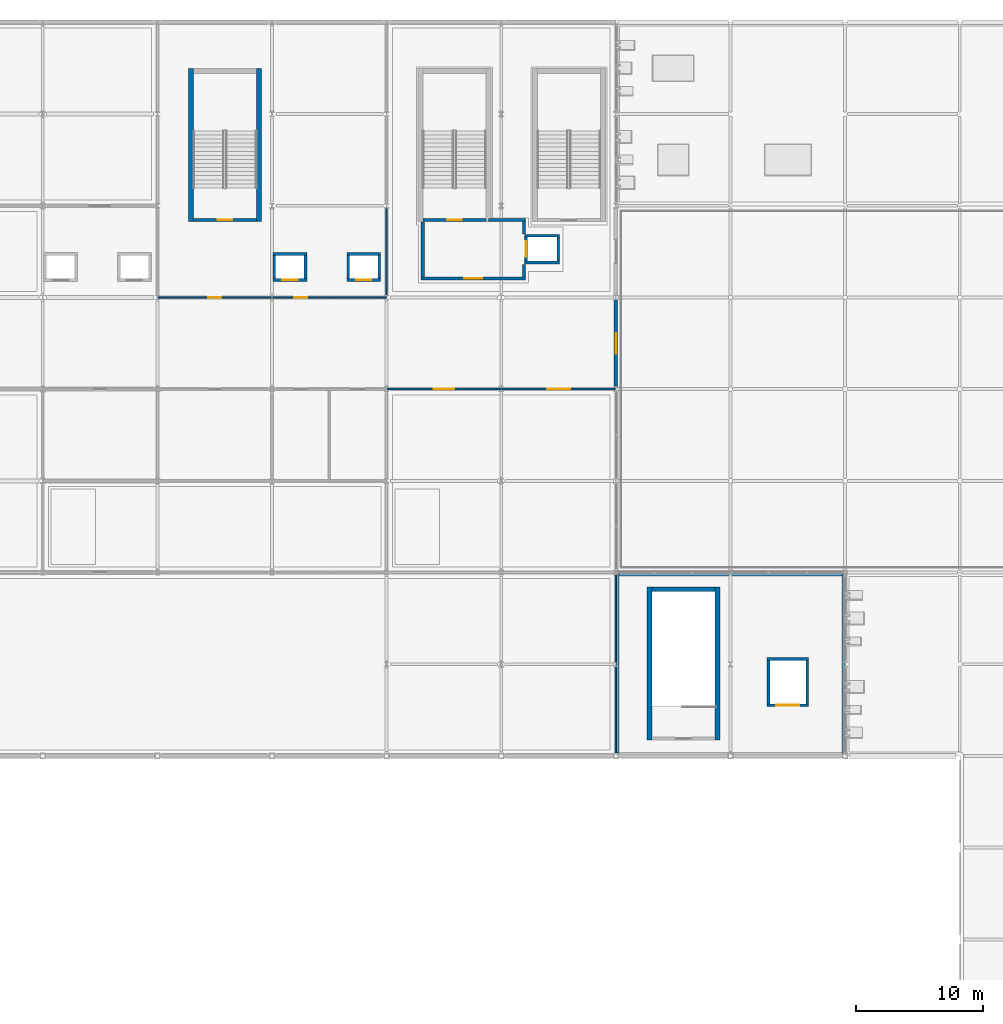
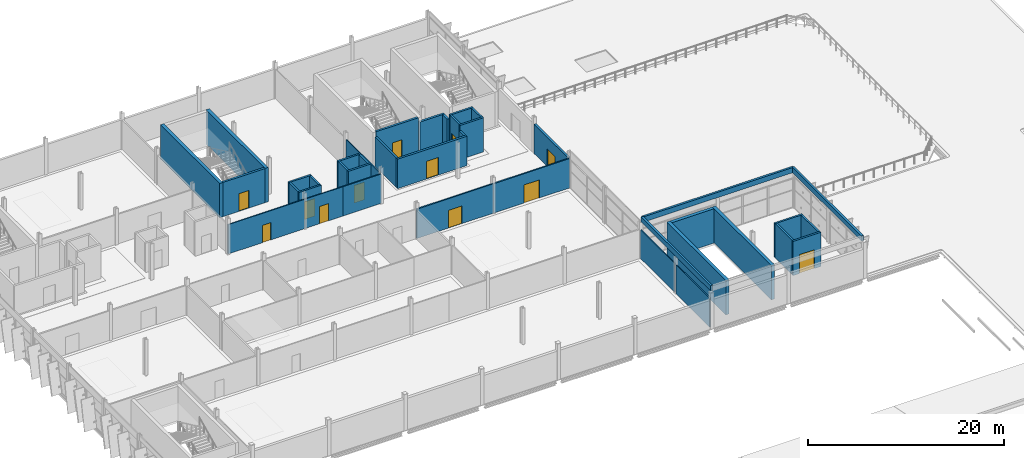
# One storey, part 67 of 78: 40 walls, 12 doors, 12 openings.
"""IFC4 building model written with IfcOpenShell, lengths in metres."""

from ifc_helpers import new_model, si_unit, direction, frame, frame_2d, origin, place, context, subcontext, project, spatial, rectangle, extrude, material, layer, layer_set, type_object, element, fill, save


model = new_model("IFC4")

# Units and contexts
model_context = context("Model", 3, precision=1e-05, world=origin(), true_north=direction((0.0, 1.0)))
body_context = subcontext(model_context, "Body", "Model", "MODEL_VIEW")
ifc_project = project(units=[si_unit("LENGTHUNIT", "METRE"), si_unit("AREAUNIT", "SQUARE_METRE"), si_unit("VOLUMEUNIT", "CUBIC_METRE"), si_unit("PLANEANGLEUNIT", "RADIAN"), si_unit("MASSUNIT", "GRAM", prefix="KILO")], contexts=[model_context])

# Site, building, storey
site_placement = place(None, origin())
site = spatial("IfcSite", under=ifc_project, at=site_placement, CompositionType="ELEMENT")
building_placement = place(site_placement, origin())
building = spatial("IfcBuilding", under=site, at=building_placement, Name="Celestram Park Convention Centre", CompositionType="ELEMENT")
storey_placement = place(building_placement, frame((0.0, 0.0, 19.800048828125)))
storey = spatial("IfcBuildingStorey", under=building, at=storey_placement, Name="L04", CompositionType="ELEMENT", Elevation=19.800048828125)

# Wall, opening, door
ifc_material_1 = material(Name="Concrete Block Masonry C25/30", Category="masonry")
ifc_layer_1 = layer(ifc_material_1, 0.25)
ifc_layer_set_1 = layer_set([ifc_layer_1], Name="Concrete Block Masonry C25/30")
wall_type_1 = type_object("IfcWallType", Name="ARC-WL-COR250", PredefinedType="STANDARD", material=ifc_layer_set_1)
wall_1_placement = place(storey_placement, frame((83.840087890625, 150.074951171875, 0.0), z_axis=(0.0, 0.0, 1.0), x_axis=(1.0, 0.0, 0.0)))
wall_1 = element("IfcWall", 1, at=wall_1_placement, inside=storey, type_object=wall_type_1, Name="Core C2 stair entrance wall", PredefinedType="STANDARD", context=body_context, shape_type="SweptSolid", body=[
    extrude(rectangle(XDim=4.9599609375, YDim=0.25, at=frame_2d((2.47998046875, 0.0))), origin(), (0.0, 0.0, 1.0), 4.25),
])
opening_1_placement = place(wall_1_placement, frame((1.905029296875, 0.0, 0.0)))
opening_1 = element("IfcOpeningElement", 2, at=opening_1_placement, cuts=wall_1, Name="Opening D-ST1", PredefinedType="OPENING", context=body_context, shape_type="SweptSolid", body=[
    extrude(rectangle(XDim=1.14990234375, YDim=2.199951171875, at=frame_2d((0.574951171875, 1.10009765625))), frame((0.0, 0.135009765625, 0.0), z_axis=(0.0, -1.0, 0.0), x_axis=(1.0, 0.0, 0.0)), (0.0, 0.0, 1.0), 0.27001953125),
])
ifc_material_2 = material(Name="Fire-Rated Hollow Metal Steel ASTM A653", Category="steel")
door_type_1 = type_object("IfcDoorType", Name="ARC-DR-ST115", OperationType="NOTDEFINED", PredefinedType="DOOR", material=ifc_material_2)
door_1_placement = place(opening_1_placement, origin())
door_1 = element("IfcDoor", 3, at=door_1_placement, inside=storey, type_object=door_type_1, Name="Exit stair ST-02 fire door", OperationType="SINGLE_SWING_LEFT", OverallHeight=2.199951171875, OverallWidth=1.14990234375, PredefinedType="DOOR", context=body_context, shape_type="SweptSolid", body=[
    extrude(rectangle(XDim=1.14990234375, YDim=2.199951171875, at=frame_2d((0.574951171875, 1.10009765625))), frame((0.0, 0.02490234375, 0.0), z_axis=(0.0, -1.0, 0.0), x_axis=(1.0, 0.0, 0.0)), (0.0, 0.0, 1.0), 0.050048828125),
])
fill(opening_1, door_1)

wall_2_placement = place(storey_placement, frame((65.840087890625, 150.074951171875, 0.0), z_axis=(0.0, 0.0, 1.0), x_axis=(1.0, 0.0, 0.0)))
wall_2 = element("IfcWall", 4, at=wall_2_placement, inside=storey, type_object=wall_type_1, Name="Core S14 stair entrance wall", PredefinedType="STANDARD", context=body_context, shape_type="SweptSolid", body=[
    extrude(rectangle(XDim=4.9599609375, YDim=0.25, at=frame_2d((2.47998046875, 0.0))), origin(), (0.0, 0.0, 1.0), 4.25),
])
opening_2_placement = place(wall_2_placement, frame((1.905029296875, 0.0, 0.0)))
opening_2 = element("IfcOpeningElement", 5, at=opening_2_placement, cuts=wall_2, Name="Opening D-ST1", PredefinedType="OPENING", context=body_context, shape_type="SweptSolid", body=[
    extrude(rectangle(XDim=1.14990234375, YDim=2.199951171875, at=frame_2d((0.574951171875, 1.10009765625))), frame((0.0, 0.135009765625, 0.0), z_axis=(0.0, -1.0, 0.0), x_axis=(1.0, 0.0, 0.0)), (0.0, 0.0, 1.0), 0.27001953125),
])
door_2_placement = place(opening_2_placement, origin())
door_2 = element("IfcDoor", 6, at=door_2_placement, inside=storey, type_object=door_type_1, Name="Exit stair ST-14 fire door", OperationType="SINGLE_SWING_LEFT", OverallHeight=2.199951171875, OverallWidth=1.14990234375, PredefinedType="DOOR", context=body_context, shape_type="SweptSolid", body=[
    extrude(rectangle(XDim=1.14990234375, YDim=2.199951171875, at=frame_2d((0.574951171875, 1.10009765625))), frame((0.0, 0.02490234375, 0.0), z_axis=(0.0, -1.0, 0.0), x_axis=(1.0, 0.0, 0.0)), (0.0, 0.0, 1.0), 0.050048828125),
])
fill(opening_2, door_2)

# Wall
wall_3_placement = place(storey_placement, frame((83.840087890625, 149.93994140625, 0.0), z_axis=(0.0, 0.0, 1.0), x_axis=(0.0, -1.0, 0.0)))
element("IfcWall", 7, at=wall_3_placement, inside=storey, type_object=wall_type_1, Name="Firefighting Lift Lobby C2 W wall", PredefinedType="STANDARD", context=body_context, shape_type="SweptSolid", body=[
    extrude(rectangle(XDim=4.31494140625, YDim=0.25, at=frame_2d((2.157470703125, 0.0))), origin(), (0.0, 0.0, 1.0), 3.64794921875),
])

# Wall, opening, door
wall_4_placement = place(storey_placement, frame((83.715087890625, 145.5, 0.0), z_axis=(0.0, 0.0, 1.0), x_axis=(1.0, 0.0, 0.0)))
wall_4 = element("IfcWall", 8, at=wall_4_placement, inside=storey, type_object=wall_type_1, Name="Firefighting Lift Lobby C2 S wall", PredefinedType="STANDARD", context=body_context, shape_type="SweptSolid", body=[
    extrude(rectangle(XDim=8.18994140625, YDim=0.25, at=frame_2d((4.094970703125, 0.0))), origin(), (0.0, 0.0, 1.0), 3.64794921875),
])
opening_3_placement = place(wall_4_placement, frame((3.39501953125, 0.0, 0.0)))
opening_3 = element("IfcOpeningElement", 9, at=opening_3_placement, cuts=wall_4, Name="Opening D-LB1", PredefinedType="OPENING", context=body_context, shape_type="SweptSolid", body=[
    extrude(rectangle(XDim=1.39990234375, YDim=2.199951171875, at=frame_2d((0.699951171875, 1.10009765625))), frame((0.0, 0.135009765625, 0.0), z_axis=(0.0, -1.0, 0.0), x_axis=(1.0, 0.0, 0.0)), (0.0, 0.0, 1.0), 0.27001953125),
])
ifc_material_3 = material(Name="Fire-Rated Glazed Steel Frame", Category="steel")
door_type_2 = type_object("IfcDoorType", Name="ARC-DR-LB140", OperationType="NOTDEFINED", PredefinedType="DOOR", material=ifc_material_3)
door_3_placement = place(opening_3_placement, origin())
door_3 = element("IfcDoor", 10, at=door_3_placement, inside=storey, type_object=door_type_2, Name="Firefighting Lift Lobby C2 fire door", OperationType="SINGLE_SWING_LEFT", OverallHeight=2.199951171875, OverallWidth=1.39990234375, PredefinedType="DOOR", context=body_context, shape_type="SweptSolid", body=[
    extrude(rectangle(XDim=1.39990234375, YDim=2.199951171875, at=frame_2d((0.699951171875, 1.10009765625))), frame((0.0, 0.02490234375, 0.0), z_axis=(0.0, -1.0, 0.0), x_axis=(1.0, 0.0, 0.0)), (0.0, 0.0, 1.0), 0.050048828125),
])
fill(opening_3, door_3)

# Walls
wall_5_placement = place(storey_placement, frame((91.780029296875, 145.625, 0.0), z_axis=(0.0, 0.0, 1.0), x_axis=(0.0, 1.0, 0.0)))
element("IfcWall", 11, at=wall_5_placement, inside=storey, type_object=wall_type_1, Name="Firefighting Lift Lobby C2 ES wall", PredefinedType="STANDARD", context=body_context, shape_type="SweptSolid", body=[
    extrude(rectangle(XDim=0.97509765625, YDim=0.25, at=frame_2d((0.487548828125, 0.0))), origin(), (0.0, 0.0, 1.0), 3.64794921875),
])
wall_6_placement = place(storey_placement, frame((91.780029296875, 149.0, 0.0), z_axis=(0.0, 0.0, 1.0), x_axis=(0.0, 1.0, 0.0)))
element("IfcWall", 12, at=wall_6_placement, inside=storey, type_object=wall_type_1, Name="Firefighting Lift Lobby C2 EN wall", PredefinedType="STANDARD", context=body_context, shape_type="SweptSolid", body=[
    extrude(rectangle(XDim=0.949951171875, YDim=0.25, at=frame_2d((0.47509765625, 0.0))), origin(), (0.0, 0.0, 1.0), 3.64794921875),
])
wall_7_placement = place(storey_placement, frame((89.0, 150.074951171875, 0.0), z_axis=(0.0, 0.0, 1.0), x_axis=(1.0, 0.0, 0.0)))
element("IfcWall", 13, at=wall_7_placement, inside=storey, type_object=wall_type_1, Name="Firefighting Lift Lobby C2 N wall", PredefinedType="STANDARD", context=body_context, shape_type="SweptSolid", body=[
    extrude(rectangle(XDim=2.905029296875, YDim=0.25, at=frame_2d((1.45263671875, 0.0))), origin(), (0.0, 0.0, 1.0), 3.64794921875),
])

# Wall, opening, door
ifc_material_4 = material(Name="Precast Concrete C40/50", Category="concrete")
ifc_layer_2 = layer(ifc_material_4, 0.260009765625)
ifc_layer_set_2 = layer_set([ifc_layer_2], Name="Precast Concrete C40/50")
wall_type_2 = type_object("IfcWallType", Name="ARC-WL-EXT260", PredefinedType="STANDARD", material=ifc_layer_set_2)
wall_8_placement = place(storey_placement, frame((99.0, 143.823974609375, 0.0), z_axis=(0.0, 0.0, 1.0), x_axis=(0.0, -1.0, 0.0)))
wall_8 = element("IfcWall", 14, at=wall_8_placement, inside=storey, type_object=wall_type_2, Name="Bush-hammered precast exterior wall WL-L04-EW234", PredefinedType="STANDARD", context=body_context, shape_type="SweptSolid", body=[
    extrude(rectangle(XDim=6.847900390625, YDim=0.260009765625, at=frame_2d((3.423828125, 0.0))), origin(), (0.0, 0.0, 1.0), 3.64794921875),
])
opening_4_placement = place(wall_8_placement, frame((2.6240234375, 0.0, 0.0)))
opening_4 = element("IfcOpeningElement", 15, at=opening_4_placement, cuts=wall_8, Name="Opening D-TR2", PredefinedType="OPENING", context=body_context, shape_type="SweptSolid", body=[
    extrude(rectangle(XDim=1.60009765625, YDim=2.199951171875, at=frame_2d((0.800048828125, 1.10009765625))), frame((0.0, 0.139892578125, 0.0), z_axis=(0.0, -1.0, 0.0), x_axis=(1.0, 0.0, 0.0)), (0.0, 0.0, 1.0), 0.280029296875),
])
ifc_material_5 = material(Name="Anodised Aluminium & Tempered Glass", Category="aluminium")
door_type_3 = type_object("IfcDoorType", Name="ARC-DR-TR1600", OperationType="NOTDEFINED", PredefinedType="DOOR", material=ifc_material_5)
door_4_placement = place(opening_4_placement, origin())
door_4 = element("IfcDoor", 16, at=door_4_placement, inside=storey, type_object=door_type_3, Name="Planted roof terrace door DR-L04-TR02", OperationType="DOUBLE_DOOR_SINGLE_SWING", OverallHeight=2.199951171875, OverallWidth=1.60009765625, PredefinedType="DOOR", context=body_context, shape_type="SweptSolid", body=[
    extrude(rectangle(XDim=1.60009765625, YDim=2.199951171875, at=frame_2d((0.800048828125, 1.10009765625))), frame((0.0, 0.02490234375, 0.0), z_axis=(0.0, -1.0, 0.0), x_axis=(1.0, 0.0, 0.0)), (0.0, 0.0, 1.0), 0.050048828125),
])
fill(opening_4, door_4)

# Walls
ifc_layer_3 = layer(ifc_material_4, 0.239990234375)
ifc_layer_set_3 = layer_set([ifc_layer_3], Name="Precast Concrete C40/50")
wall_type_3 = type_object("IfcWallType", Name="ARC-WL-PAR240", PredefinedType="PARAPET", material=ifc_layer_set_3)
wall_9_placement = place(storey_placement, frame((99.139892578125, 108.139892578125, 4.5), z_axis=(0.0, 0.0, 1.0), x_axis=(0.0, 1.0, 0.0)))
element("IfcWall", 17, at=wall_9_placement, inside=storey, type_object=wall_type_3, Name="Flat roof parapet WL-L04-PR11", PredefinedType="PARAPET", context=body_context, shape_type="SweptSolid", body=[
    extrude(rectangle(XDim=14.1201171875, YDim=0.239990234375, at=frame_2d((7.06005859375, 0.0))), origin(), (0.0, 0.0, 1.0), 0.64990234375),
])
wall_10_placement = place(storey_placement, frame((99.139892578125, 122.260009765625, 4.5), z_axis=(0.0, 0.0, 1.0), x_axis=(1.0, 0.0, 0.0)))
element("IfcWall", 18, at=wall_10_placement, inside=storey, type_object=wall_type_3, Name="Flat roof parapet WL-L04-PR12", PredefinedType="PARAPET", context=body_context, shape_type="SweptSolid", body=[
    extrude(rectangle(XDim=17.72021484375, YDim=0.239990234375, at=frame_2d((8.860107421875, 0.0))), origin(), (0.0, 0.0, 1.0), 0.64990234375),
])
wall_11_placement = place(storey_placement, frame((116.860107421875, 122.260009765625, 4.5), z_axis=(0.0, 0.0, 1.0), x_axis=(0.0, -1.0, 0.0)))
element("IfcWall", 19, at=wall_11_placement, inside=storey, type_object=wall_type_3, Name="Flat roof parapet WL-L04-PR13", PredefinedType="PARAPET", context=body_context, shape_type="SweptSolid", body=[
    extrude(rectangle(XDim=14.1201171875, YDim=0.239990234375, at=frame_2d((7.06005859375, 0.0))), origin(), (0.0, 0.0, 1.0), 0.64990234375),
])

# Wall, opening, door
ifc_material_6 = material(Name="Standard Gypsum & Steel Stud 120 mm", Category="steel")
ifc_layer_4 = layer(ifc_material_6, 0.1201171875)
ifc_layer_set_4 = layer_set([ifc_layer_4], Name="Standard Gypsum & Steel Stud 120 mm")
wall_type_4 = type_object("IfcWallType", Name="ARC-WL-PRT120", PredefinedType="PARTITIONING", material=ifc_layer_set_4)
wall_12_placement = place(storey_placement, frame((63.006103515625, 144.0, 0.0), z_axis=(0.0, 0.0, 1.0), x_axis=(1.0, 0.0, 0.0)))
wall_12 = element("IfcWall", 20, at=wall_12_placement, inside=storey, type_object=wall_type_4, Name="Interior partition WL-L04-IN0963", PredefinedType="PARTITIONING", context=body_context, shape_type="SweptSolid", body=[
    extrude(rectangle(XDim=8.989013671875, YDim=0.1201171875, at=frame_2d((4.49462890625, 0.0))), origin(), (0.0, 0.0, 1.0), 3.64794921875),
])
opening_5_placement = place(wall_12_placement, frame((3.994384765625, 0.0, 0.0)))
opening_5 = element("IfcOpeningElement", 21, at=opening_5_placement, cuts=wall_12, Name="Opening D-07", PredefinedType="OPENING", context=body_context, shape_type="SweptSolid", body=[
    extrude(rectangle(XDim=1.0, YDim=2.14990234375, at=frame_2d((0.5, 1.074951171875))), frame((0.0, 0.070068359375, 0.0), z_axis=(0.0, -1.0, 0.0), x_axis=(1.0, 0.0, 0.0)), (0.0, 0.0, 1.0), 0.14013671875),
])
ifc_material_7 = material(Name="Solid Core White Oak Single Door", Category="wood")
door_type_4 = type_object("IfcDoorType", Name="ARC-DR-RM100", OperationType="NOTDEFINED", PredefinedType="DOOR", material=ifc_material_7)
door_5_placement = place(opening_5_placement, origin())
door_5 = element("IfcDoor", 22, at=door_5_placement, inside=storey, type_object=door_type_4, Name="Show Administration Office East entrance door", OperationType="SINGLE_SWING_LEFT", OverallHeight=2.14990234375, OverallWidth=1.0, PredefinedType="DOOR", context=body_context, shape_type="SweptSolid", body=[
    extrude(rectangle(XDim=1.0, YDim=2.14990234375, at=frame_2d((0.5, 1.074951171875))), frame((0.0, 0.02490234375, 0.0), z_axis=(0.0, -1.0, 0.0), x_axis=(1.0, 0.0, 0.0)), (0.0, 0.0, 1.0), 0.050048828125),
])
fill(opening_5, door_5)

wall_13_placement = place(storey_placement, frame((72.0048828125, 144.0, 0.0), z_axis=(0.0, 0.0, 1.0), x_axis=(1.0, 0.0, 0.0)))
wall_13 = element("IfcWall", 23, at=wall_13_placement, inside=storey, type_object=wall_type_4, Name="Interior partition WL-L04-IN0964", PredefinedType="PARTITIONING", context=body_context, shape_type="SweptSolid", body=[
    extrude(rectangle(XDim=4.4951171875, YDim=0.1201171875, at=frame_2d((2.24755859375, 0.0))), origin(), (0.0, 0.0, 1.0), 3.64794921875),
])
opening_6_placement = place(wall_13_placement, frame((1.722412109375, 0.0, 0.0)))
opening_6 = element("IfcOpeningElement", 24, at=opening_6_placement, cuts=wall_13, Name="Opening D-06", PredefinedType="OPENING", context=body_context, shape_type="SweptSolid", body=[
    extrude(rectangle(XDim=1.050048828125, YDim=2.14990234375, at=frame_2d((0.52490234375, 1.074951171875))), frame((0.0, 0.070068359375, 0.0), z_axis=(0.0, -1.0, 0.0), x_axis=(1.0, 0.0, 0.0)), (0.0, 0.0, 1.0), 0.14013671875),
])
door_type_5 = type_object("IfcDoorType", Name="ARC-DR-RM105", OperationType="NOTDEFINED", PredefinedType="DOOR", material=ifc_material_7)
door_6_placement = place(opening_6_placement, origin())
door_6 = element("IfcDoor", 25, at=door_6_placement, inside=storey, type_object=door_type_5, Name="Show Administration Office East entrance door", OperationType="SINGLE_SWING_RIGHT", OverallHeight=2.14990234375, OverallWidth=1.050048828125, PredefinedType="DOOR", context=body_context, shape_type="SweptSolid", body=[
    extrude(rectangle(XDim=1.050048828125, YDim=2.14990234375, at=frame_2d((0.52490234375, 1.074951171875))), frame((0.0, 0.02490234375, 0.0), z_axis=(0.0, -1.0, 0.0), x_axis=(1.0, 0.0, 0.0)), (0.0, 0.0, 1.0), 0.050048828125),
])
fill(opening_6, door_6)

# Walls
wall_14_placement = place(storey_placement, frame((76.5, 144.0, 0.0), z_axis=(0.0, 0.0, 1.0), x_axis=(1.0, 0.0, 0.0)))
element("IfcWall", 26, at=wall_14_placement, inside=storey, type_object=wall_type_4, Name="Interior partition WL-L04-IN0965", PredefinedType="PARTITIONING", context=body_context, shape_type="SweptSolid", body=[
    extrude(rectangle(XDim=4.4951171875, YDim=0.1201171875, at=frame_2d((2.24755859375, 0.0))), origin(), (0.0, 0.0, 1.0), 3.64794921875),
])
wall_15_placement = place(storey_placement, frame((81.0, 144.176025390625, 0.0), z_axis=(0.0, 0.0, 1.0), x_axis=(0.0, 1.0, 0.0)))
element("IfcWall", 27, at=wall_15_placement, inside=storey, type_object=wall_type_4, Name="Interior partition WL-L04-IN0980", PredefinedType="PARTITIONING", context=body_context, shape_type="SweptSolid", body=[
    extrude(rectangle(XDim=6.847900390625, YDim=0.1201171875, at=frame_2d((3.423828125, 0.0))), origin(), (0.0, 0.0, 1.0), 3.64794921875),
])
wall_16_placement = place(storey_placement, frame((99.0, 108.197998046875, 0.0), z_axis=(0.0, 0.0, 1.0), x_axis=(0.0, 1.0, 0.0)))
element("IfcWall", 28, at=wall_16_placement, inside=storey, type_object=wall_type_4, Name="Interior partition WL-L04-IN0983", PredefinedType="PARTITIONING", context=body_context, shape_type="SweptSolid", body=[
    extrude(rectangle(XDim=6.825927734375, YDim=0.1201171875, at=frame_2d((3.4130859375, 0.0))), origin(), (0.0, 0.0, 1.0), 3.587890625),
])
wall_17_placement = place(storey_placement, frame((99.0, 115.3759765625, 0.0), z_axis=(0.0, 0.0, 1.0), x_axis=(0.0, 1.0, 0.0)))
element("IfcWall", 29, at=wall_17_placement, inside=storey, type_object=wall_type_4, Name="Interior partition WL-L04-IN0984", PredefinedType="PARTITIONING", context=body_context, shape_type="SweptSolid", body=[
    extrude(rectangle(XDim=6.84814453125, YDim=0.1201171875, at=frame_2d((3.424072265625, 0.0))), origin(), (0.0, 0.0, 1.0), 3.587890625),
])

# Wall, opening, door
ifc_material_8 = material(Name="Acoustic Gypsum & Steel Stud 160 mm", Category="steel")
ifc_layer_5 = layer(ifc_material_8, 0.159912109375)
ifc_layer_set_5 = layer_set([ifc_layer_5], Name="Acoustic Gypsum & Steel Stud 160 mm")
wall_type_5 = type_object("IfcWallType", Name="ARC-WL-PRT160", PredefinedType="PARTITIONING", material=ifc_layer_set_5)
wall_18_placement = place(storey_placement, frame((81.0048828125, 136.800048828125, 0.0), z_axis=(0.0, 0.0, 1.0), x_axis=(1.0, 0.0, 0.0)))
wall_18 = element("IfcWall", 30, at=wall_18_placement, inside=storey, type_object=wall_type_5, Name="Interior partition WL-L04-IN0961", PredefinedType="PARTITIONING", context=body_context, shape_type="SweptSolid", body=[
    extrude(rectangle(XDim=8.990234375, YDim=0.159912109375, at=frame_2d((4.4951171875, 0.0))), origin(), (0.0, 0.0, 1.0), 3.64794921875),
])
opening_7_placement = place(wall_18_placement, frame((3.695068359375, 0.0, 0.0)))
opening_7 = element("IfcOpeningElement", 31, at=opening_7_placement, cuts=wall_18, Name="Opening D-05", PredefinedType="OPENING", context=body_context, shape_type="SweptSolid", body=[
    extrude(rectangle(XDim=1.60009765625, YDim=2.199951171875, at=frame_2d((0.800048828125, 1.10009765625))), frame((0.0, 0.08984375, 0.0), z_axis=(0.0, -1.0, 0.0), x_axis=(1.0, 0.0, 0.0)), (0.0, 0.0, 1.0), 0.179931640625),
])
ifc_material_9 = material(Name="Solid White Oak Double Door", Category="wood")
door_type_6 = type_object("IfcDoorType", Name="ARC-DR-MTG160", OperationType="NOTDEFINED", PredefinedType="DOOR", material=ifc_material_9)
door_7_placement = place(opening_7_placement, origin())
door_7 = element("IfcDoor", 32, at=door_7_placement, inside=storey, type_object=door_type_6, Name="Executive Conference Room 402 entrance door", OperationType="DOUBLE_DOOR_SINGLE_SWING", OverallHeight=2.199951171875, OverallWidth=1.60009765625, PredefinedType="DOOR", context=body_context, shape_type="SweptSolid", body=[
    extrude(rectangle(XDim=1.60009765625, YDim=2.199951171875, at=frame_2d((0.800048828125, 1.10009765625))), frame((0.0, 0.02490234375, 0.0), z_axis=(0.0, -1.0, 0.0), x_axis=(1.0, 0.0, 0.0)), (0.0, 0.0, 1.0), 0.050048828125),
])
fill(opening_7, door_7)

wall_19_placement = place(storey_placement, frame((90.0048828125, 136.800048828125, 0.0), z_axis=(0.0, 0.0, 1.0), x_axis=(1.0, 0.0, 0.0)))
wall_19 = element("IfcWall", 33, at=wall_19_placement, inside=storey, type_object=wall_type_5, Name="Interior partition WL-L04-IN0962", PredefinedType="PARTITIONING", context=body_context, shape_type="SweptSolid", body=[
    extrude(rectangle(XDim=8.990234375, YDim=0.159912109375, at=frame_2d((4.4951171875, 0.0))), origin(), (0.0, 0.0, 1.0), 3.64794921875),
])
opening_8_placement = place(wall_19_placement, frame((3.594970703125, 0.0, 0.0)))
opening_8 = element("IfcOpeningElement", 34, at=opening_8_placement, cuts=wall_19, Name="Opening D-04", PredefinedType="OPENING", context=body_context, shape_type="SweptSolid", body=[
    extrude(rectangle(XDim=1.800048828125, YDim=2.25, at=frame_2d((0.89990234375, 1.125))), frame((0.0, 0.08984375, 0.0), z_axis=(0.0, -1.0, 0.0), x_axis=(1.0, 0.0, 0.0)), (0.0, 0.0, 1.0), 0.179931640625),
])
ifc_material_10 = material(Name="Solid White Oak Acoustic Double Door", Category="wood")
door_type_7 = type_object("IfcDoorType", Name="ARC-DR-MTG180", OperationType="NOTDEFINED", PredefinedType="DOOR", material=ifc_material_10)
door_8_placement = place(opening_8_placement, origin())
door_8 = element("IfcDoor", 35, at=door_8_placement, inside=storey, type_object=door_type_7, Name="Executive Conference Room 402 entrance door", OperationType="DOUBLE_DOOR_SINGLE_SWING", OverallHeight=2.25, OverallWidth=1.800048828125, PredefinedType="DOOR", context=body_context, shape_type="SweptSolid", body=[
    extrude(rectangle(XDim=1.800048828125, YDim=2.25, at=frame_2d((0.89990234375, 1.125))), frame((0.0, 0.02490234375, 0.0), z_axis=(0.0, -1.0, 0.0), x_axis=(1.0, 0.0, 0.0)), (0.0, 0.0, 1.0), 0.050048828125),
])
fill(opening_8, door_8)

# Walls
ifc_layer_6 = layer(ifc_material_1, 0.219970703125)
ifc_layer_set_6 = layer_set([ifc_layer_6], Name="Concrete Block Masonry C25/30")
wall_type_6 = type_object("IfcWallType", Name="ARC-WL-SHF220", PredefinedType="STANDARD", material=ifc_layer_set_6)
for number, where, z_axis, x_axis, name in (
    (36, (91.820068359375, 146.7548828125, 0.0), (0.0, 0.0, 1.0), (1.0, 0.0, 0.0), "Lift LF-02 shaft wall S"),
    (37, (94.580078125, 148.844970703125, 0.0), (0.0, 0.0, 1.0), (-1.0, 0.0, 0.0), "Lift LF-02 shaft wall N"),
):
    element("IfcWall", number, at=place(storey_placement, frame(where, z_axis=z_axis, x_axis=x_axis)), inside=storey, type_object=wall_type_6, Name=name, PredefinedType="STANDARD", context=body_context, shape_type="SweptSolid", body=[
        extrude(rectangle(XDim=2.760009765625, YDim=0.219970703125, at=frame_2d((1.3798828125, 0.0))), origin(), (0.0, 0.0, 1.0), 4.25),
    ])

# Wall, opening, door
wall_20_placement = place(storey_placement, frame((91.929931640625, 148.735107421875, 0.0), z_axis=(0.0, 0.0, 1.0), x_axis=(0.0, -1.0, 0.0)))
wall_20 = element("IfcWall", 38, at=wall_20_placement, inside=storey, type_object=wall_type_6, Name="Lift LF-02 shaft wall W", PredefinedType="STANDARD", context=body_context, shape_type="SweptSolid", body=[
    extrude(rectangle(XDim=1.8701171875, YDim=0.219970703125, at=frame_2d((0.93505859375, 0.0))), origin(), (0.0, 0.0, 1.0), 4.25),
])
opening_9_placement = place(wall_20_placement, frame((0.3349609375, 0.0, 0.0)))
opening_9 = element("IfcOpeningElement", 39, at=opening_9_placement, cuts=wall_20, Name="Opening LD-01", PredefinedType="OPENING", context=body_context, shape_type="SweptSolid", body=[
    extrude(rectangle(XDim=1.199951171875, YDim=2.199951171875, at=frame_2d((0.60009765625, 1.10009765625))), frame((0.0, 0.119873046875, 0.0), z_axis=(0.0, -1.0, 0.0), x_axis=(1.0, 0.0, 0.0)), (0.0, 0.0, 1.0), 0.239990234375),
])
ifc_material_11 = material(Name="Brushed Stainless Steel AISI 304", Category="steel")
door_type_8 = type_object("IfcDoorType", Name="ARC-DR-LFT120", OperationType="NOTDEFINED", PredefinedType="DOOR", material=ifc_material_11)
door_9_placement = place(opening_9_placement, origin())
door_9 = element("IfcDoor", 40, at=door_9_placement, inside=storey, type_object=door_type_8, Name="Lift LF-02 sliding landing door", OperationType="DOUBLE_DOOR_SLIDING", OverallHeight=2.199951171875, OverallWidth=1.199951171875, PredefinedType="DOOR", context=body_context, shape_type="SweptSolid", body=[
    extrude(rectangle(XDim=1.199951171875, YDim=2.199951171875, at=frame_2d((0.60009765625, 1.10009765625))), frame((0.0, 0.02490234375, 0.0), z_axis=(0.0, -1.0, 0.0), x_axis=(1.0, 0.0, 0.0)), (0.0, 0.0, 1.0), 0.050048828125),
])
fill(opening_9, door_9)

# Wall
wall_21_placement = place(storey_placement, frame((94.469970703125, 146.864990234375, 0.0), z_axis=(0.0, 0.0, 1.0), x_axis=(0.0, 1.0, 0.0)))
element("IfcWall", 41, at=wall_21_placement, inside=storey, type_object=wall_type_6, Name="Lift LF-02 shaft wall E", PredefinedType="STANDARD", context=body_context, shape_type="SweptSolid", body=[
    extrude(rectangle(XDim=1.8701171875, YDim=0.219970703125, at=frame_2d((0.93505859375, 0.0))), origin(), (0.0, 0.0, 1.0), 4.25),
])

# Wall, opening, door
wall_22_placement = place(storey_placement, frame((72.070068359375, 145.3798828125, 0.0), z_axis=(0.0, 0.0, 1.0), x_axis=(1.0, 0.0, 0.0)))
wall_22 = element("IfcWall", 42, at=wall_22_placement, inside=storey, type_object=wall_type_6, Name="Lift LP-03 shaft wall S", PredefinedType="STANDARD", context=body_context, shape_type="SweptSolid", body=[
    extrude(rectangle(XDim=2.659912109375, YDim=0.219970703125, at=frame_2d((1.330078125, 0.0))), origin(), (0.0, 0.0, 1.0), 3.64794921875),
])
opening_10_placement = place(wall_22_placement, frame((0.72998046875, 0.0, 0.0)))
opening_10 = element("IfcOpeningElement", 43, at=opening_10_placement, cuts=wall_22, Name="Opening LD-01", PredefinedType="OPENING", context=body_context, shape_type="SweptSolid", body=[
    extrude(rectangle(XDim=1.199951171875, YDim=2.199951171875, at=frame_2d((0.60009765625, 1.10009765625))), frame((0.0, 0.119873046875, 0.0), z_axis=(0.0, -1.0, 0.0), x_axis=(1.0, 0.0, 0.0)), (0.0, 0.0, 1.0), 0.239990234375),
])
door_10_placement = place(opening_10_placement, origin())
door_10 = element("IfcDoor", 44, at=door_10_placement, inside=storey, type_object=door_type_8, Name="Lift LP-03 sliding landing door", OperationType="DOUBLE_DOOR_SLIDING", OverallHeight=2.199951171875, OverallWidth=1.199951171875, PredefinedType="DOOR", context=body_context, shape_type="SweptSolid", body=[
    extrude(rectangle(XDim=1.199951171875, YDim=2.199951171875, at=frame_2d((0.60009765625, 1.10009765625))), frame((0.0, 0.02490234375, 0.0), z_axis=(0.0, -1.0, 0.0), x_axis=(1.0, 0.0, 0.0)), (0.0, 0.0, 1.0), 0.050048828125),
])
fill(opening_10, door_10)

# Walls
wall_23_placement = place(storey_placement, frame((74.72998046875, 147.419921875, 0.0), z_axis=(0.0, 0.0, 1.0), x_axis=(-1.0, 0.0, 0.0)))
element("IfcWall", 45, at=wall_23_placement, inside=storey, type_object=wall_type_6, Name="Lift LP-03 shaft wall N", PredefinedType="STANDARD", context=body_context, shape_type="SweptSolid", body=[
    extrude(rectangle(XDim=2.659912109375, YDim=0.219970703125, at=frame_2d((1.330078125, 0.0))), origin(), (0.0, 0.0, 1.0), 3.64794921875),
])
for number, where, z_axis, x_axis, name in (
    (46, (72.179931640625, 147.31005859375, 0.0), (0.0, 0.0, 1.0), (0.0, -1.0, 0.0), "Lift LP-03 shaft wall W"),
    (47, (74.6201171875, 145.489990234375, 0.0), (0.0, 0.0, 1.0), (0.0, 1.0, 0.0), "Lift LP-03 shaft wall E"),
):
    element("IfcWall", number, at=place(storey_placement, frame(where, z_axis=z_axis, x_axis=x_axis)), inside=storey, type_object=wall_type_6, Name=name, PredefinedType="STANDARD", context=body_context, shape_type="SweptSolid", body=[
        extrude(rectangle(XDim=1.820068359375, YDim=0.219970703125, at=frame_2d((0.91015625, 0.0))), origin(), (0.0, 0.0, 1.0), 3.64794921875),
    ])

# Wall, opening, door
wall_24_placement = place(storey_placement, frame((77.8701171875, 145.3798828125, 0.0), z_axis=(0.0, 0.0, 1.0), x_axis=(1.0, 0.0, 0.0)))
wall_24 = element("IfcWall", 48, at=wall_24_placement, inside=storey, type_object=wall_type_6, Name="Lift LP-04 shaft wall S", PredefinedType="STANDARD", context=body_context, shape_type="SweptSolid", body=[
    extrude(rectangle(XDim=2.659912109375, YDim=0.219970703125, at=frame_2d((1.330078125, 0.0))), origin(), (0.0, 0.0, 1.0), 4.25),
])
opening_11_placement = place(wall_24_placement, frame((0.72998046875, 0.0, 0.0)))
opening_11 = element("IfcOpeningElement", 49, at=opening_11_placement, cuts=wall_24, Name="Opening LD-01", PredefinedType="OPENING", context=body_context, shape_type="SweptSolid", body=[
    extrude(rectangle(XDim=1.199951171875, YDim=2.199951171875, at=frame_2d((0.60009765625, 1.10009765625))), frame((0.0, 0.119873046875, 0.0), z_axis=(0.0, -1.0, 0.0), x_axis=(1.0, 0.0, 0.0)), (0.0, 0.0, 1.0), 0.239990234375),
])
door_11_placement = place(opening_11_placement, origin())
door_11 = element("IfcDoor", 50, at=door_11_placement, inside=storey, type_object=door_type_8, Name="Lift LP-04 sliding landing door", OperationType="DOUBLE_DOOR_SLIDING", OverallHeight=2.199951171875, OverallWidth=1.199951171875, PredefinedType="DOOR", context=body_context, shape_type="SweptSolid", body=[
    extrude(rectangle(XDim=1.199951171875, YDim=2.199951171875, at=frame_2d((0.60009765625, 1.10009765625))), frame((0.0, 0.02490234375, 0.0), z_axis=(0.0, -1.0, 0.0), x_axis=(1.0, 0.0, 0.0)), (0.0, 0.0, 1.0), 0.050048828125),
])
fill(opening_11, door_11)

# Walls
wall_25_placement = place(storey_placement, frame((80.530029296875, 147.419921875, 0.0), z_axis=(0.0, 0.0, 1.0), x_axis=(-1.0, 0.0, 0.0)))
element("IfcWall", 51, at=wall_25_placement, inside=storey, type_object=wall_type_6, Name="Lift LP-04 shaft wall N", PredefinedType="STANDARD", context=body_context, shape_type="SweptSolid", body=[
    extrude(rectangle(XDim=2.659912109375, YDim=0.219970703125, at=frame_2d((1.330078125, 0.0))), origin(), (0.0, 0.0, 1.0), 4.25),
])
for number, where, z_axis, x_axis, name in (
    (52, (77.97998046875, 147.31005859375, 0.0), (0.0, 0.0, 1.0), (0.0, -1.0, 0.0), "Lift LP-04 shaft wall W"),
    (53, (80.419921875, 145.489990234375, 0.0), (0.0, 0.0, 1.0), (0.0, 1.0, 0.0), "Lift LP-04 shaft wall E"),
):
    element("IfcWall", number, at=place(storey_placement, frame(where, z_axis=z_axis, x_axis=x_axis)), inside=storey, type_object=wall_type_6, Name=name, PredefinedType="STANDARD", context=body_context, shape_type="SweptSolid", body=[
        extrude(rectangle(XDim=1.820068359375, YDim=0.219970703125, at=frame_2d((0.91015625, 0.0))), origin(), (0.0, 0.0, 1.0), 4.25),
    ])

# Wall, opening, door
wall_26_placement = place(storey_placement, frame((110.8701171875, 111.97998046875, 0.0), z_axis=(0.0, 0.0, 1.0), x_axis=(1.0, 0.0, 0.0)))
wall_26 = element("IfcWall", 54, at=wall_26_placement, inside=storey, type_object=wall_type_6, Name="Lift LG-01 shaft wall S", PredefinedType="STANDARD", context=body_context, shape_type="SweptSolid", body=[
    extrude(rectangle(XDim=3.259765625, YDim=0.219970703125, at=frame_2d((1.6298828125, 0.0))), origin(), (0.0, 0.0, 1.0), 4.25),
])
opening_12_placement = place(wall_26_placement, frame((0.72998046875, 0.0, 0.0)))
opening_12 = element("IfcOpeningElement", 55, at=opening_12_placement, cuts=wall_26, Name="Opening LD-02", PredefinedType="OPENING", context=body_context, shape_type="SweptSolid", body=[
    extrude(rectangle(XDim=1.800048828125, YDim=2.35009765625, at=frame_2d((0.89990234375, 1.175048828125))), frame((0.0, 0.119873046875, 0.0), z_axis=(0.0, -1.0, 0.0), x_axis=(1.0, 0.0, 0.0)), (0.0, 0.0, 1.0), 0.239990234375),
])
ifc_material_12 = material(Name="Heavy-Duty Stainless Steel AISI 304", Category="steel")
door_type_9 = type_object("IfcDoorType", Name="ARC-DR-LFG180", OperationType="NOTDEFINED", PredefinedType="DOOR", material=ifc_material_12)
door_12_placement = place(opening_12_placement, origin())
door_12 = element("IfcDoor", 56, at=door_12_placement, inside=storey, type_object=door_type_9, Name="Lift LG-01 sliding landing door", OperationType="DOUBLE_DOOR_SLIDING", OverallHeight=2.35009765625, OverallWidth=1.800048828125, PredefinedType="DOOR", context=body_context, shape_type="SweptSolid", body=[
    extrude(rectangle(XDim=1.800048828125, YDim=2.35009765625, at=frame_2d((0.89990234375, 1.175048828125))), frame((0.0, 0.02490234375, 0.0), z_axis=(0.0, -1.0, 0.0), x_axis=(1.0, 0.0, 0.0)), (0.0, 0.0, 1.0), 0.050048828125),
])
fill(opening_12, door_12)

# Walls
wall_27_placement = place(storey_placement, frame((114.1298828125, 115.6201171875, 0.0), z_axis=(0.0, 0.0, 1.0), x_axis=(-1.0, 0.0, 0.0)))
element("IfcWall", 57, at=wall_27_placement, inside=storey, type_object=wall_type_6, Name="Lift LG-01 shaft wall N", PredefinedType="STANDARD", context=body_context, shape_type="SweptSolid", body=[
    extrude(rectangle(XDim=3.259765625, YDim=0.219970703125, at=frame_2d((1.6298828125, 0.0))), origin(), (0.0, 0.0, 1.0), 4.25),
])
for number, where, z_axis, x_axis, name in (
    (58, (110.97998046875, 115.510009765625, 0.0), (0.0, 0.0, 1.0), (0.0, -1.0, 0.0), "Lift LG-01 shaft wall W"),
    (59, (114.02001953125, 112.090087890625, 0.0), (0.0, 0.0, 1.0), (0.0, 1.0, 0.0), "Lift LG-01 shaft wall E"),
):
    element("IfcWall", number, at=place(storey_placement, frame(where, z_axis=z_axis, x_axis=x_axis)), inside=storey, type_object=wall_type_6, Name=name, PredefinedType="STANDARD", context=body_context, shape_type="SweptSolid", body=[
        extrude(rectangle(XDim=3.419921875, YDim=0.219970703125, at=frame_2d((1.7099609375, 0.0))), origin(), (0.0, 0.0, 1.0), 4.25),
    ])
ifc_material_13 = material(Name="Concrete C40/50", Category="concrete")
ifc_layer_7 = layer(ifc_material_13, 0.3798828125)
ifc_layer_set_7 = layer_set([ifc_layer_7], Name="Concrete C40/50")
wall_type_7 = type_object("IfcWallType", Name="STR-WL-SHR380", PredefinedType="SHEAR", material=ifc_layer_set_7)
for number, where, z_axis, x_axis, name in (
    (60, (101.64990234375, 109.25, 0.0), (0.0, 0.0, 1.0), (0.0, 1.0, 0.0), "Core C3 shear wall L"),
    (61, (106.989990234375, 121.280029296875, 0.0), (0.0, 0.0, 1.0), (0.0, -1.0, 0.0), "Core C3 shear wall R"),
):
    element("IfcWall", number, at=place(storey_placement, frame(where, z_axis=z_axis, x_axis=x_axis)), inside=storey, type_object=wall_type_7, Name=name, PredefinedType="SHEAR", context=body_context, shape_type="SweptSolid", body=[
        extrude(rectangle(XDim=12.030029296875, YDim=0.3798828125, at=frame_2d((6.01513671875, 0.0))), origin(), (0.0, 0.0, 1.0), 4.260009765625),
    ])
wall_28_placement = place(storey_placement, frame((101.840087890625, 121.090087890625, 0.0), z_axis=(0.0, 0.0, 1.0), x_axis=(1.0, 0.0, 0.0)))
element("IfcWall", 62, at=wall_28_placement, inside=storey, type_object=wall_type_7, Name="Core C3 shear wall F", PredefinedType="SHEAR", context=body_context, shape_type="SweptSolid", body=[
    extrude(rectangle(XDim=4.9599609375, YDim=0.3798828125, at=frame_2d((2.47998046875, 0.0))), origin(), (0.0, 0.0, 1.0), 4.260009765625),
])
for number, where, z_axis, x_axis, name in (
    (63, (65.64990234375, 149.949951171875, 0.0), (0.0, 0.0, 1.0), (0.0, 1.0, 0.0), "Core S14 shear wall L"),
    (64, (70.989990234375, 161.97998046875, 0.0), (0.0, 0.0, 1.0), (0.0, -1.0, 0.0), "Core S14 shear wall R"),
):
    element("IfcWall", number, at=place(storey_placement, frame(where, z_axis=z_axis, x_axis=x_axis)), inside=storey, type_object=wall_type_7, Name=name, PredefinedType="SHEAR", context=body_context, shape_type="SweptSolid", body=[
        extrude(rectangle(XDim=12.030029296875, YDim=0.3798828125, at=frame_2d((6.01513671875, 0.0))), origin(), (0.0, 0.0, 1.0), 4.260009765625),
    ])

save(model, "model.ifc")
